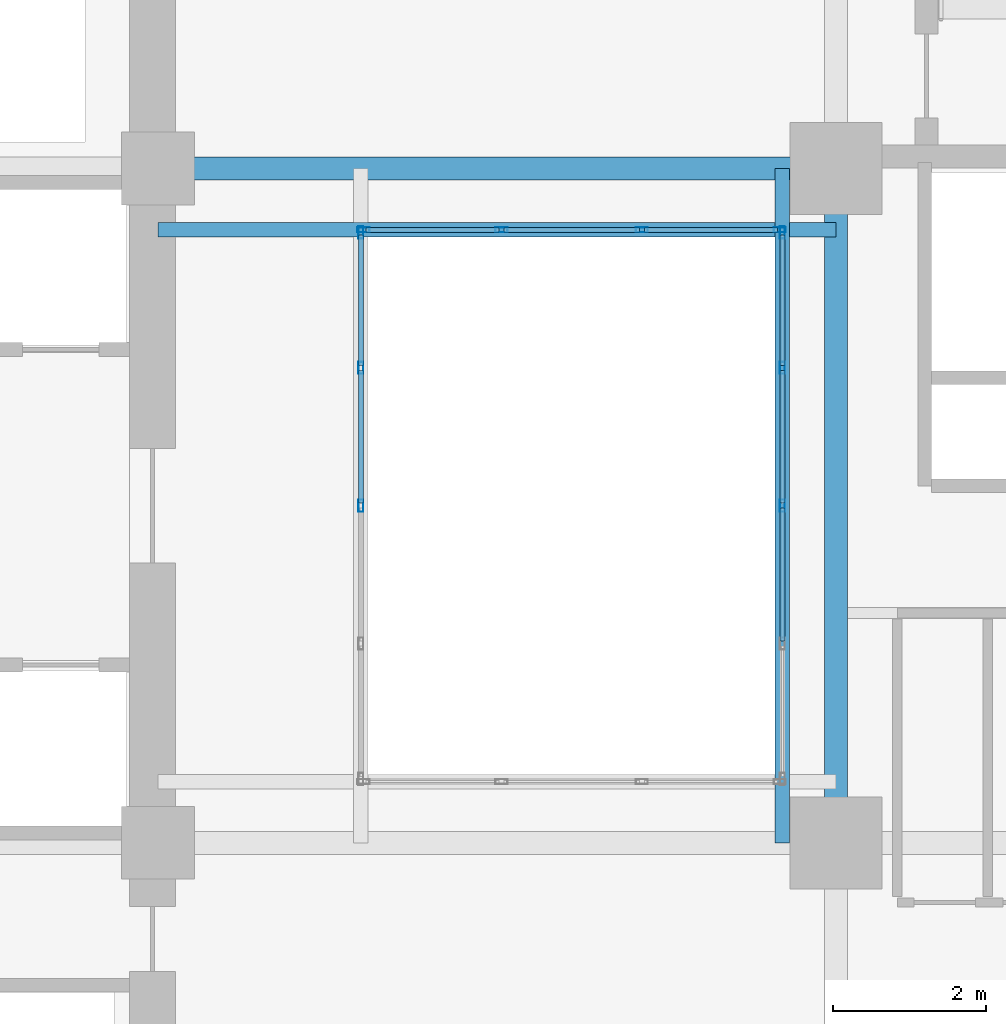
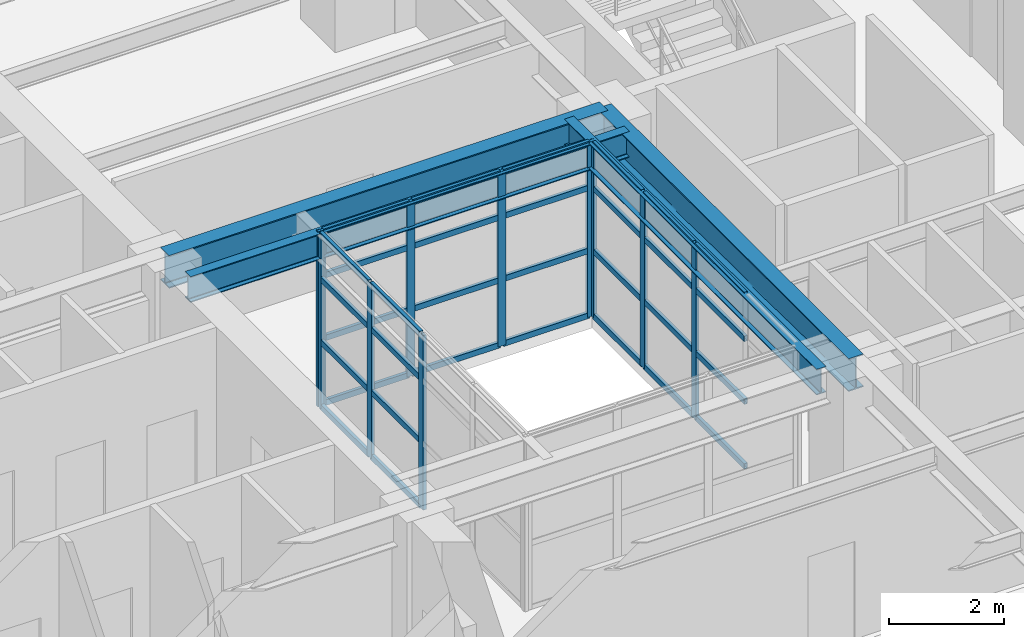
# One storey, part 4 of 17: 42 members, 4 beams, 3 elements without a shape of their own.
"""IFC4 building model written with IfcOpenShell, lengths in metres."""

from ifc_helpers import new_model, si_unit, direction, frame, origin, origin_2d, place, context, subcontext, project, spatial, hollow_rectangle, i_section, extrude, material, layer, layer_set, material_profile, profile_set, type_object, element, aggregate, save


model = new_model("IFC4")

# Units and contexts
model_context = context("Model", 3, precision=1e-05, world=origin(), true_north=direction((0.0, 1.0)))
body_context = subcontext(model_context, "Body", "Model", "MODEL_VIEW")
ifc_project = project(units=[si_unit("LENGTHUNIT", "METRE"), si_unit("AREAUNIT", "SQUARE_METRE"), si_unit("VOLUMEUNIT", "CUBIC_METRE"), si_unit("PLANEANGLEUNIT", "RADIAN"), si_unit("MASSUNIT", "GRAM", prefix="KILO")], contexts=[model_context])

# Site, building, storey
site_placement = place(None, origin())
site = spatial("IfcSite", under=ifc_project, at=site_placement, CompositionType="ELEMENT")
building_placement = place(site_placement, origin())
building = spatial("IfcBuilding", under=site, at=building_placement, Name="Kundavana Baori Tower", CompositionType="ELEMENT")
storey_placement = place(building_placement, frame((0.0, 0.0, 26.0)))
storey = spatial("IfcBuildingStorey", under=building, at=storey_placement, Name="L05", CompositionType="ELEMENT", Elevation=26.0)

# Beams
ifc_material_1 = material(Name="Structural Steel S355JR", Category="steel")
ifc_material_profile_1 = material_profile(ifc_material_1, i_section(OverallWidth=0.18994140625, OverallDepth=0.550048828125, WebThickness=0.01123046875, FlangeThickness=0.019287109375, FilletRadius=0.01806640625, at=origin_2d()), Name="ISMB 550")
ifc_profile_set_1 = profile_set([ifc_material_profile_1], Name="Structural Steel S355JR")
beam_type_1 = type_object("IfcBeamType", Name="BM-ST-550", PredefinedType="BEAM", material=ifc_profile_set_1)
beam_1_placement = place(storey_placement, frame((33.10009765625, 24.199951171875, 3.445068359375), z_axis=(0.0, 1.0, 0.0), x_axis=(-1.0, 0.0, 0.0)))
element("IfcBeam", 1, at=beam_1_placement, inside=storey, type_object=beam_type_1, Name="L05 Atrium East Edge Beam", PredefinedType="BEAM", context=body_context, shape_type="SweptSolid", body=[
    extrude(i_section(OverallWidth=0.18994140625, OverallDepth=0.550048828125, WebThickness=0.01123046875, FlangeThickness=0.019287109375, FilletRadius=0.01806640625, at=origin_2d()), origin(), (0.0, 0.0, 1.0), 8.800048828125),
])
beam_2_placement = place(storey_placement, frame((24.949951171875, 32.199951171875, 3.445068359375), z_axis=(1.0, 0.0, 0.0), x_axis=(0.0, 1.0, 0.0)))
element("IfcBeam", 2, at=beam_2_placement, inside=storey, type_object=beam_type_1, Name="L05 Atrium North Edge Beam", PredefinedType="BEAM", context=body_context, shape_type="SweptSolid", body=[
    extrude(i_section(OverallWidth=0.18994140625, OverallDepth=0.550048828125, WebThickness=0.01123046875, FlangeThickness=0.019287109375, FilletRadius=0.01806640625, at=origin_2d()), origin(), (0.0, 0.0, 1.0), 8.85009765625),
])
ifc_material_2 = material(Name="Structural Steel S355JR", Category="steel")
ifc_material_profile_2 = material_profile(ifc_material_2, i_section(OverallWidth=0.300048828125, OverallDepth=0.699951171875, WebThickness=0.014404296875, FlangeThickness=0.02392578125, FilletRadius=0.02392578125, at=origin_2d()), Name="NPB 700x300x170")
ifc_profile_set_2 = profile_set([ifc_material_profile_2], Name="Structural Steel S355JR")
beam_type_2 = type_object("IfcBeamType", Name="BM-ST-700", PredefinedType="BEAM", material=ifc_profile_set_2)
beam_3_placement = place(storey_placement, frame((24.949951171875, 33.0, 3.3701171875), z_axis=(1.0, 0.0, 0.0), x_axis=(0.0, 1.0, 0.0)))
element("IfcBeam", 3, at=beam_3_placement, inside=storey, type_object=beam_type_2, Name="L05 Primary Grid Girder GX-3-2", PredefinedType="BEAM", context=body_context, shape_type="SweptSolid", body=[
    extrude(i_section(OverallWidth=0.300048828125, OverallDepth=0.699951171875, WebThickness=0.014404296875, FlangeThickness=0.02392578125, FilletRadius=0.02392578125, at=origin_2d()), origin(), (0.0, 0.0, 1.0), 8.85009765625),
])
beam_4_placement = place(storey_placement, frame((33.800048828125, 24.199951171875, 3.3701171875), z_axis=(0.0, 1.0, 0.0), x_axis=(-1.0, 0.0, 0.0)))
element("IfcBeam", 4, at=beam_4_placement, inside=storey, type_object=beam_type_2, Name="L05 Primary Grid Girder GY-3-2", PredefinedType="BEAM", context=body_context, shape_type="SweptSolid", body=[
    extrude(i_section(OverallWidth=0.300048828125, OverallDepth=0.699951171875, WebThickness=0.014404296875, FlangeThickness=0.02392578125, FilletRadius=0.02392578125, at=origin_2d()), origin(), (0.0, 0.0, 1.0), 8.800048828125),
])

# Curtain wall, members
ifc_material_3 = material(Name="Thermally Broken Anodised Aluminium Framing", Category="aluminium")
ifc_layer = layer(ifc_material_3, 0.18994140625, Name="CW-SYS-3")
ifc_layer_set = layer_set([ifc_layer], Name="Thermally Broken Anodised Aluminium Framing")
curtain_wall_type = type_object("IfcCurtainWallType", Name="CW-SYS-3", PredefinedType="NOTDEFINED", material=ifc_layer_set)
curtain_wall_1_placement = place(storey_placement, origin())
curtain_wall_1 = element("IfcCurtainWall", 5, at=curtain_wall_1_placement, inside=storey, type_object=curtain_wall_type, Name="L05 Atrium Glazed Curtain Wall E", PredefinedType="NOTDEFINED")
ifc_material_4 = material(Name="Thermally Broken Anodised Aluminium Framing", Category="aluminium")
ifc_material_profile_3 = material_profile(ifc_material_4, hollow_rectangle(XDim=0.06494140625, YDim=0.159912109375, WallThickness=0.00390625, at=origin_2d()), Name="CW-MULL-160")
ifc_profile_set_3 = profile_set([ifc_material_profile_3], Name="Thermally Broken Anodised Aluminium Framing")
member_type_1 = type_object("IfcMemberType", Name="CW-MULL-160", PredefinedType="MULLION", material=ifc_profile_set_3)
member_1_placement = place(storey_placement, frame((33.10009765625, 28.60009765625, 0.0), z_axis=(0.0, 0.0, 1.0), x_axis=(-1.0, 0.0, 0.0)))
member_1 = element("IfcMember", 6, at=member_1_placement, type_object=member_type_1, Name="CW3 mullion 3", PredefinedType="MULLION", context=body_context, shape_type="SweptSolid", body=[
    extrude(hollow_rectangle(XDim=0.06494140625, YDim=0.159912109375, WallThickness=0.00390625, at=origin_2d()), origin(), (0.0, 0.0, 1.0), 3.719970703125),
])
member_2_placement = place(storey_placement, frame((33.10009765625, 30.39990234375, 0.0), z_axis=(0.0, 0.0, 1.0), x_axis=(-1.0, 0.0, 0.0)))
member_2 = element("IfcMember", 7, at=member_2_placement, type_object=member_type_1, Name="CW3 mullion 4", PredefinedType="MULLION", context=body_context, shape_type="SweptSolid", body=[
    extrude(hollow_rectangle(XDim=0.06494140625, YDim=0.159912109375, WallThickness=0.00390625, at=origin_2d()), origin(), (0.0, 0.0, 1.0), 3.719970703125),
])
member_3_placement = place(storey_placement, frame((33.10009765625, 32.16748046875, 0.0), z_axis=(0.0, 0.0, 1.0), x_axis=(-1.0, 0.0, 0.0)))
member_3 = element("IfcMember", 8, at=member_3_placement, type_object=member_type_1, Name="CW3 mullion 5", PredefinedType="MULLION", context=body_context, shape_type="SweptSolid", body=[
    extrude(hollow_rectangle(XDim=0.06494140625, YDim=0.159912109375, WallThickness=0.00390625, at=origin_2d()), origin(), (0.0, 0.0, 1.0), 3.719970703125),
])

curtain_wall_2_placement = place(storey_placement, origin())
curtain_wall_2 = element("IfcCurtainWall", 9, at=curtain_wall_2_placement, inside=storey, type_object=curtain_wall_type, Name="L05 Atrium Glazed Curtain Wall N", PredefinedType="NOTDEFINED")
member_4_placement = place(storey_placement, frame((33.0673828125, 32.199951171875, 0.0), z_axis=(0.0, 0.0, 1.0), x_axis=(0.0, -1.0, 0.0)))
member_4 = element("IfcMember", 10, at=member_4_placement, type_object=member_type_1, Name="CW3 mullion 1", PredefinedType="MULLION", context=body_context, shape_type="SweptSolid", body=[
    extrude(hollow_rectangle(XDim=0.06494140625, YDim=0.159912109375, WallThickness=0.00390625, at=origin_2d()), origin(), (0.0, 0.0, 1.0), 3.719970703125),
])
member_5_placement = place(storey_placement, frame((31.2666015625, 32.199951171875, 0.0), z_axis=(0.0, 0.0, 1.0), x_axis=(0.0, -1.0, 0.0)))
member_5 = element("IfcMember", 11, at=member_5_placement, type_object=member_type_1, Name="CW3 mullion 2", PredefinedType="MULLION", context=body_context, shape_type="SweptSolid", body=[
    extrude(hollow_rectangle(XDim=0.06494140625, YDim=0.159912109375, WallThickness=0.00390625, at=origin_2d()), origin(), (0.0, 0.0, 1.0), 3.719970703125),
])
member_6_placement = place(storey_placement, frame((29.433349609375, 32.199951171875, 0.0), z_axis=(0.0, 0.0, 1.0), x_axis=(0.0, -1.0, 0.0)))
member_6 = element("IfcMember", 12, at=member_6_placement, type_object=member_type_1, Name="CW3 mullion 3", PredefinedType="MULLION", context=body_context, shape_type="SweptSolid", body=[
    extrude(hollow_rectangle(XDim=0.06494140625, YDim=0.159912109375, WallThickness=0.00390625, at=origin_2d()), origin(), (0.0, 0.0, 1.0), 3.719970703125),
])
member_7_placement = place(storey_placement, frame((27.632568359375, 32.199951171875, 0.0), z_axis=(0.0, 0.0, 1.0), x_axis=(0.0, -1.0, 0.0)))
member_7 = element("IfcMember", 13, at=member_7_placement, type_object=member_type_1, Name="CW3 mullion 4", PredefinedType="MULLION", context=body_context, shape_type="SweptSolid", body=[
    extrude(hollow_rectangle(XDim=0.06494140625, YDim=0.159912109375, WallThickness=0.00390625, at=origin_2d()), origin(), (0.0, 0.0, 1.0), 3.719970703125),
])

curtain_wall_3_placement = place(storey_placement, origin())
curtain_wall_3 = element("IfcCurtainWall", 14, at=curtain_wall_3_placement, inside=storey, type_object=curtain_wall_type, Name="L05 Atrium Glazed Curtain Wall W", PredefinedType="NOTDEFINED")
member_8_placement = place(storey_placement, frame((27.60009765625, 32.16748046875, 0.0), z_axis=(0.0, 0.0, 1.0), x_axis=(1.0, 0.0, 0.0)))
member_8 = element("IfcMember", 15, at=member_8_placement, type_object=member_type_1, Name="CW3 mullion 1", PredefinedType="MULLION", context=body_context, shape_type="SweptSolid", body=[
    extrude(hollow_rectangle(XDim=0.06494140625, YDim=0.159912109375, WallThickness=0.00390625, at=origin_2d()), origin(), (0.0, 0.0, 1.0), 3.719970703125),
])
member_9_placement = place(storey_placement, frame((27.60009765625, 30.39990234375, 0.0), z_axis=(0.0, 0.0, 1.0), x_axis=(1.0, 0.0, 0.0)))
member_9 = element("IfcMember", 16, at=member_9_placement, type_object=member_type_1, Name="CW3 mullion 2", PredefinedType="MULLION", context=body_context, shape_type="SweptSolid", body=[
    extrude(hollow_rectangle(XDim=0.06494140625, YDim=0.159912109375, WallThickness=0.00390625, at=origin_2d()), origin(), (0.0, 0.0, 1.0), 3.719970703125),
])
member_10_placement = place(storey_placement, frame((27.60009765625, 28.60009765625, 0.0), z_axis=(0.0, 0.0, 1.0), x_axis=(1.0, 0.0, 0.0)))
member_10 = element("IfcMember", 17, at=member_10_placement, type_object=member_type_1, Name="CW3 mullion 3", PredefinedType="MULLION", context=body_context, shape_type="SweptSolid", body=[
    extrude(hollow_rectangle(XDim=0.06494140625, YDim=0.159912109375, WallThickness=0.00390625, at=origin_2d()), origin(), (0.0, 0.0, 1.0), 3.719970703125),
])

# Member
ifc_material_5 = material(Name="Thermally Broken Anodised Aluminium Framing", Category="aluminium")
ifc_material_profile_4 = material_profile(ifc_material_5, hollow_rectangle(XDim=0.06494140625, YDim=0.1201171875, WallThickness=0.00390625, at=origin_2d()), Name="CW-TRAN-120")
ifc_profile_set_4 = profile_set([ifc_material_profile_4], Name="Thermally Broken Anodised Aluminium Framing")
member_type_2 = type_object("IfcMemberType", Name="CW-TRAN-120", PredefinedType="USERDEFINED", material=ifc_profile_set_4)
member_11_placement = place(storey_placement, frame((33.10009765625, 26.83251953125, 0.032470703125), z_axis=(0.0, 1.0, 0.0), x_axis=(-1.0, 0.0, 0.0)))
member_11 = element("IfcMember", 18, at=member_11_placement, type_object=member_type_2, Name="CW3 transom 2.1", ObjectType="TRANSOM", PredefinedType="USERDEFINED", context=body_context, shape_type="SweptSolid", body=[
    extrude(hollow_rectangle(XDim=0.06494140625, YDim=0.1201171875, WallThickness=0.00390625, at=origin_2d()), origin(), (0.0, 0.0, 1.0), 1.73486328125),
])

member_12_placement = place(storey_placement, frame((33.10009765625, 26.83251953125, 1.41357421875), z_axis=(0.0, 1.0, 0.0), x_axis=(-1.0, 0.0, 0.0)))
member_12 = element("IfcMember", 19, at=member_12_placement, type_object=member_type_2, Name="CW3 transom 2.2", ObjectType="TRANSOM", PredefinedType="USERDEFINED", context=body_context, shape_type="SweptSolid", body=[
    extrude(hollow_rectangle(XDim=0.06494140625, YDim=0.1201171875, WallThickness=0.00390625, at=origin_2d()), origin(), (0.0, 0.0, 1.0), 1.73486328125),
])

member_13_placement = place(storey_placement, frame((33.10009765625, 26.83251953125, 2.752685546875), z_axis=(0.0, 1.0, 0.0), x_axis=(-1.0, 0.0, 0.0)))
member_13 = element("IfcMember", 20, at=member_13_placement, type_object=member_type_2, Name="CW3 transom 2.3", ObjectType="TRANSOM", PredefinedType="USERDEFINED", context=body_context, shape_type="SweptSolid", body=[
    extrude(hollow_rectangle(XDim=0.06494140625, YDim=0.1201171875, WallThickness=0.00390625, at=origin_2d()), origin(), (0.0, 0.0, 1.0), 1.73486328125),
])

member_14_placement = place(storey_placement, frame((33.10009765625, 26.83251953125, 3.6875), z_axis=(0.0, 1.0, 0.0), x_axis=(-1.0, 0.0, 0.0)))
member_14 = element("IfcMember", 21, at=member_14_placement, type_object=member_type_2, Name="CW3 transom 2.4", ObjectType="TRANSOM", PredefinedType="USERDEFINED", context=body_context, shape_type="SweptSolid", body=[
    extrude(hollow_rectangle(XDim=0.06494140625, YDim=0.1201171875, WallThickness=0.00390625, at=origin_2d()), origin(), (0.0, 0.0, 1.0), 1.73486328125),
])

member_15_placement = place(storey_placement, frame((33.10009765625, 28.632568359375, 0.032470703125), z_axis=(0.0, 1.0, 0.0), x_axis=(-1.0, 0.0, 0.0)))
member_15 = element("IfcMember", 22, at=member_15_placement, type_object=member_type_2, Name="CW3 transom 3.1", ObjectType="TRANSOM", PredefinedType="USERDEFINED", context=body_context, shape_type="SweptSolid", body=[
    extrude(hollow_rectangle(XDim=0.06494140625, YDim=0.1201171875, WallThickness=0.00390625, at=origin_2d()), origin(), (0.0, 0.0, 1.0), 1.73486328125),
])

member_16_placement = place(storey_placement, frame((33.10009765625, 28.632568359375, 1.41357421875), z_axis=(0.0, 1.0, 0.0), x_axis=(-1.0, 0.0, 0.0)))
member_16 = element("IfcMember", 23, at=member_16_placement, type_object=member_type_2, Name="CW3 transom 3.2", ObjectType="TRANSOM", PredefinedType="USERDEFINED", context=body_context, shape_type="SweptSolid", body=[
    extrude(hollow_rectangle(XDim=0.06494140625, YDim=0.1201171875, WallThickness=0.00390625, at=origin_2d()), origin(), (0.0, 0.0, 1.0), 1.73486328125),
])

member_17_placement = place(storey_placement, frame((33.10009765625, 28.632568359375, 2.752685546875), z_axis=(0.0, 1.0, 0.0), x_axis=(-1.0, 0.0, 0.0)))
member_17 = element("IfcMember", 24, at=member_17_placement, type_object=member_type_2, Name="CW3 transom 3.3", ObjectType="TRANSOM", PredefinedType="USERDEFINED", context=body_context, shape_type="SweptSolid", body=[
    extrude(hollow_rectangle(XDim=0.06494140625, YDim=0.1201171875, WallThickness=0.00390625, at=origin_2d()), origin(), (0.0, 0.0, 1.0), 1.73486328125),
])

member_18_placement = place(storey_placement, frame((33.10009765625, 28.632568359375, 3.6875), z_axis=(0.0, 1.0, 0.0), x_axis=(-1.0, 0.0, 0.0)))
member_18 = element("IfcMember", 25, at=member_18_placement, type_object=member_type_2, Name="CW3 transom 3.4", ObjectType="TRANSOM", PredefinedType="USERDEFINED", context=body_context, shape_type="SweptSolid", body=[
    extrude(hollow_rectangle(XDim=0.06494140625, YDim=0.1201171875, WallThickness=0.00390625, at=origin_2d()), origin(), (0.0, 0.0, 1.0), 1.73486328125),
])

member_19_placement = place(storey_placement, frame((33.10009765625, 30.4326171875, 0.032470703125), z_axis=(0.0, 1.0, 0.0), x_axis=(-1.0, 0.0, 0.0)))
member_19 = element("IfcMember", 26, at=member_19_placement, type_object=member_type_2, Name="CW3 transom 4.1", ObjectType="TRANSOM", PredefinedType="USERDEFINED", context=body_context, shape_type="SweptSolid", body=[
    extrude(hollow_rectangle(XDim=0.06494140625, YDim=0.1201171875, WallThickness=0.00390625, at=origin_2d()), origin(), (0.0, 0.0, 1.0), 1.702392578125),
])

member_20_placement = place(storey_placement, frame((33.10009765625, 30.4326171875, 1.41357421875), z_axis=(0.0, 1.0, 0.0), x_axis=(-1.0, 0.0, 0.0)))
member_20 = element("IfcMember", 27, at=member_20_placement, type_object=member_type_2, Name="CW3 transom 4.2", ObjectType="TRANSOM", PredefinedType="USERDEFINED", context=body_context, shape_type="SweptSolid", body=[
    extrude(hollow_rectangle(XDim=0.06494140625, YDim=0.1201171875, WallThickness=0.00390625, at=origin_2d()), origin(), (0.0, 0.0, 1.0), 1.702392578125),
])

member_21_placement = place(storey_placement, frame((33.10009765625, 30.4326171875, 2.752685546875), z_axis=(0.0, 1.0, 0.0), x_axis=(-1.0, 0.0, 0.0)))
member_21 = element("IfcMember", 28, at=member_21_placement, type_object=member_type_2, Name="CW3 transom 4.3", ObjectType="TRANSOM", PredefinedType="USERDEFINED", context=body_context, shape_type="SweptSolid", body=[
    extrude(hollow_rectangle(XDim=0.06494140625, YDim=0.1201171875, WallThickness=0.00390625, at=origin_2d()), origin(), (0.0, 0.0, 1.0), 1.702392578125),
])

member_22_placement = place(storey_placement, frame((33.10009765625, 30.4326171875, 3.6875), z_axis=(0.0, 1.0, 0.0), x_axis=(-1.0, 0.0, 0.0)))
member_22 = element("IfcMember", 29, at=member_22_placement, type_object=member_type_2, Name="CW3 transom 4.4", ObjectType="TRANSOM", PredefinedType="USERDEFINED", context=body_context, shape_type="SweptSolid", body=[
    extrude(hollow_rectangle(XDim=0.06494140625, YDim=0.1201171875, WallThickness=0.00390625, at=origin_2d()), origin(), (0.0, 0.0, 1.0), 1.702392578125),
])

aggregate(curtain_wall_1, [member_1, member_2, member_3, member_11, member_12, member_13, member_14, member_15, member_16, member_17, member_18, member_19, member_20, member_21, member_22])

member_23_placement = place(storey_placement, frame((33.034912109375, 32.199951171875, 0.032470703125), z_axis=(-1.0, 0.0, 0.0), x_axis=(0.0, -1.0, 0.0)))
member_23 = element("IfcMember", 30, at=member_23_placement, type_object=member_type_2, Name="CW3 transom 1.1", ObjectType="TRANSOM", PredefinedType="USERDEFINED", context=body_context, shape_type="SweptSolid", body=[
    extrude(hollow_rectangle(XDim=0.06494140625, YDim=0.1201171875, WallThickness=0.00390625, at=origin_2d()), origin(), (0.0, 0.0, 1.0), 1.73583984375),
])

member_24_placement = place(storey_placement, frame((33.034912109375, 32.199951171875, 1.41357421875), z_axis=(-1.0, 0.0, 0.0), x_axis=(0.0, -1.0, 0.0)))
member_24 = element("IfcMember", 31, at=member_24_placement, type_object=member_type_2, Name="CW3 transom 1.2", ObjectType="TRANSOM", PredefinedType="USERDEFINED", context=body_context, shape_type="SweptSolid", body=[
    extrude(hollow_rectangle(XDim=0.06494140625, YDim=0.1201171875, WallThickness=0.00390625, at=origin_2d()), origin(), (0.0, 0.0, 1.0), 1.73583984375),
])

member_25_placement = place(storey_placement, frame((33.034912109375, 32.199951171875, 2.752685546875), z_axis=(-1.0, 0.0, 0.0), x_axis=(0.0, -1.0, 0.0)))
member_25 = element("IfcMember", 32, at=member_25_placement, type_object=member_type_2, Name="CW3 transom 1.3", ObjectType="TRANSOM", PredefinedType="USERDEFINED", context=body_context, shape_type="SweptSolid", body=[
    extrude(hollow_rectangle(XDim=0.06494140625, YDim=0.1201171875, WallThickness=0.00390625, at=origin_2d()), origin(), (0.0, 0.0, 1.0), 1.73583984375),
])

member_26_placement = place(storey_placement, frame((33.034912109375, 32.199951171875, 3.6875), z_axis=(-1.0, 0.0, 0.0), x_axis=(0.0, -1.0, 0.0)))
member_26 = element("IfcMember", 33, at=member_26_placement, type_object=member_type_2, Name="CW3 transom 1.4", ObjectType="TRANSOM", PredefinedType="USERDEFINED", context=body_context, shape_type="SweptSolid", body=[
    extrude(hollow_rectangle(XDim=0.06494140625, YDim=0.1201171875, WallThickness=0.00390625, at=origin_2d()), origin(), (0.0, 0.0, 1.0), 1.73583984375),
])

member_27_placement = place(storey_placement, frame((31.234130859375, 32.199951171875, 0.032470703125), z_axis=(-1.0, 0.0, 0.0), x_axis=(0.0, -1.0, 0.0)))
member_27 = element("IfcMember", 34, at=member_27_placement, type_object=member_type_2, Name="CW3 transom 2.1", ObjectType="TRANSOM", PredefinedType="USERDEFINED", context=body_context, shape_type="SweptSolid", body=[
    extrude(hollow_rectangle(XDim=0.06494140625, YDim=0.1201171875, WallThickness=0.00390625, at=origin_2d()), origin(), (0.0, 0.0, 1.0), 1.768310546875),
])

member_28_placement = place(storey_placement, frame((31.234130859375, 32.199951171875, 1.41357421875), z_axis=(-1.0, 0.0, 0.0), x_axis=(0.0, -1.0, 0.0)))
member_28 = element("IfcMember", 35, at=member_28_placement, type_object=member_type_2, Name="CW3 transom 2.2", ObjectType="TRANSOM", PredefinedType="USERDEFINED", context=body_context, shape_type="SweptSolid", body=[
    extrude(hollow_rectangle(XDim=0.06494140625, YDim=0.1201171875, WallThickness=0.00390625, at=origin_2d()), origin(), (0.0, 0.0, 1.0), 1.768310546875),
])

member_29_placement = place(storey_placement, frame((31.234130859375, 32.199951171875, 2.752685546875), z_axis=(-1.0, 0.0, 0.0), x_axis=(0.0, -1.0, 0.0)))
member_29 = element("IfcMember", 36, at=member_29_placement, type_object=member_type_2, Name="CW3 transom 2.3", ObjectType="TRANSOM", PredefinedType="USERDEFINED", context=body_context, shape_type="SweptSolid", body=[
    extrude(hollow_rectangle(XDim=0.06494140625, YDim=0.1201171875, WallThickness=0.00390625, at=origin_2d()), origin(), (0.0, 0.0, 1.0), 1.768310546875),
])

member_30_placement = place(storey_placement, frame((31.234130859375, 32.199951171875, 3.6875), z_axis=(-1.0, 0.0, 0.0), x_axis=(0.0, -1.0, 0.0)))
member_30 = element("IfcMember", 37, at=member_30_placement, type_object=member_type_2, Name="CW3 transom 2.4", ObjectType="TRANSOM", PredefinedType="USERDEFINED", context=body_context, shape_type="SweptSolid", body=[
    extrude(hollow_rectangle(XDim=0.06494140625, YDim=0.1201171875, WallThickness=0.00390625, at=origin_2d()), origin(), (0.0, 0.0, 1.0), 1.768310546875),
])

member_31_placement = place(storey_placement, frame((29.40087890625, 32.199951171875, 0.032470703125), z_axis=(-1.0, 0.0, 0.0), x_axis=(0.0, -1.0, 0.0)))
member_31 = element("IfcMember", 38, at=member_31_placement, type_object=member_type_2, Name="CW3 transom 3.1", ObjectType="TRANSOM", PredefinedType="USERDEFINED", context=body_context, shape_type="SweptSolid", body=[
    extrude(hollow_rectangle(XDim=0.06494140625, YDim=0.1201171875, WallThickness=0.00390625, at=origin_2d()), origin(), (0.0, 0.0, 1.0), 1.73583984375),
])

member_32_placement = place(storey_placement, frame((29.40087890625, 32.199951171875, 1.41357421875), z_axis=(-1.0, 0.0, 0.0), x_axis=(0.0, -1.0, 0.0)))
member_32 = element("IfcMember", 39, at=member_32_placement, type_object=member_type_2, Name="CW3 transom 3.2", ObjectType="TRANSOM", PredefinedType="USERDEFINED", context=body_context, shape_type="SweptSolid", body=[
    extrude(hollow_rectangle(XDim=0.06494140625, YDim=0.1201171875, WallThickness=0.00390625, at=origin_2d()), origin(), (0.0, 0.0, 1.0), 1.73583984375),
])

member_33_placement = place(storey_placement, frame((29.40087890625, 32.199951171875, 2.752685546875), z_axis=(-1.0, 0.0, 0.0), x_axis=(0.0, -1.0, 0.0)))
member_33 = element("IfcMember", 40, at=member_33_placement, type_object=member_type_2, Name="CW3 transom 3.3", ObjectType="TRANSOM", PredefinedType="USERDEFINED", context=body_context, shape_type="SweptSolid", body=[
    extrude(hollow_rectangle(XDim=0.06494140625, YDim=0.1201171875, WallThickness=0.00390625, at=origin_2d()), origin(), (0.0, 0.0, 1.0), 1.73583984375),
])

member_34_placement = place(storey_placement, frame((29.40087890625, 32.199951171875, 3.6875), z_axis=(-1.0, 0.0, 0.0), x_axis=(0.0, -1.0, 0.0)))
member_34 = element("IfcMember", 41, at=member_34_placement, type_object=member_type_2, Name="CW3 transom 3.4", ObjectType="TRANSOM", PredefinedType="USERDEFINED", context=body_context, shape_type="SweptSolid", body=[
    extrude(hollow_rectangle(XDim=0.06494140625, YDim=0.1201171875, WallThickness=0.00390625, at=origin_2d()), origin(), (0.0, 0.0, 1.0), 1.73583984375),
])

aggregate(curtain_wall_2, [member_4, member_5, member_6, member_7, member_23, member_24, member_25, member_26, member_27, member_28, member_29, member_30, member_31, member_32, member_33, member_34])

member_35_placement = place(storey_placement, frame((27.60009765625, 32.135009765625, 0.032470703125), z_axis=(0.0, -1.0, 0.0), x_axis=(1.0, 0.0, 0.0)))
member_35 = element("IfcMember", 42, at=member_35_placement, type_object=member_type_2, Name="CW3 transom 1.1", ObjectType="TRANSOM", PredefinedType="USERDEFINED", context=body_context, shape_type="SweptSolid", body=[
    extrude(hollow_rectangle(XDim=0.06494140625, YDim=0.1201171875, WallThickness=0.00390625, at=origin_2d()), origin(), (0.0, 0.0, 1.0), 1.702392578125),
])

member_36_placement = place(storey_placement, frame((27.60009765625, 32.135009765625, 1.41357421875), z_axis=(0.0, -1.0, 0.0), x_axis=(1.0, 0.0, 0.0)))
member_36 = element("IfcMember", 43, at=member_36_placement, type_object=member_type_2, Name="CW3 transom 1.2", ObjectType="TRANSOM", PredefinedType="USERDEFINED", context=body_context, shape_type="SweptSolid", body=[
    extrude(hollow_rectangle(XDim=0.06494140625, YDim=0.1201171875, WallThickness=0.00390625, at=origin_2d()), origin(), (0.0, 0.0, 1.0), 1.702392578125),
])

member_37_placement = place(storey_placement, frame((27.60009765625, 32.135009765625, 2.752685546875), z_axis=(0.0, -1.0, 0.0), x_axis=(1.0, 0.0, 0.0)))
member_37 = element("IfcMember", 44, at=member_37_placement, type_object=member_type_2, Name="CW3 transom 1.3", ObjectType="TRANSOM", PredefinedType="USERDEFINED", context=body_context, shape_type="SweptSolid", body=[
    extrude(hollow_rectangle(XDim=0.06494140625, YDim=0.1201171875, WallThickness=0.00390625, at=origin_2d()), origin(), (0.0, 0.0, 1.0), 1.702392578125),
])

member_38_placement = place(storey_placement, frame((27.60009765625, 32.135009765625, 3.6875), z_axis=(0.0, -1.0, 0.0), x_axis=(1.0, 0.0, 0.0)))
member_38 = element("IfcMember", 45, at=member_38_placement, type_object=member_type_2, Name="CW3 transom 1.4", ObjectType="TRANSOM", PredefinedType="USERDEFINED", context=body_context, shape_type="SweptSolid", body=[
    extrude(hollow_rectangle(XDim=0.06494140625, YDim=0.1201171875, WallThickness=0.00390625, at=origin_2d()), origin(), (0.0, 0.0, 1.0), 1.702392578125),
])

member_39_placement = place(storey_placement, frame((27.60009765625, 30.367431640625, 0.032470703125), z_axis=(0.0, -1.0, 0.0), x_axis=(1.0, 0.0, 0.0)))
member_39 = element("IfcMember", 46, at=member_39_placement, type_object=member_type_2, Name="CW3 transom 2.1", ObjectType="TRANSOM", PredefinedType="USERDEFINED", context=body_context, shape_type="SweptSolid", body=[
    extrude(hollow_rectangle(XDim=0.06494140625, YDim=0.1201171875, WallThickness=0.00390625, at=origin_2d()), origin(), (0.0, 0.0, 1.0), 1.73486328125),
])

member_40_placement = place(storey_placement, frame((27.60009765625, 30.367431640625, 1.41357421875), z_axis=(0.0, -1.0, 0.0), x_axis=(1.0, 0.0, 0.0)))
member_40 = element("IfcMember", 47, at=member_40_placement, type_object=member_type_2, Name="CW3 transom 2.2", ObjectType="TRANSOM", PredefinedType="USERDEFINED", context=body_context, shape_type="SweptSolid", body=[
    extrude(hollow_rectangle(XDim=0.06494140625, YDim=0.1201171875, WallThickness=0.00390625, at=origin_2d()), origin(), (0.0, 0.0, 1.0), 1.73486328125),
])

member_41_placement = place(storey_placement, frame((27.60009765625, 30.367431640625, 2.752685546875), z_axis=(0.0, -1.0, 0.0), x_axis=(1.0, 0.0, 0.0)))
member_41 = element("IfcMember", 48, at=member_41_placement, type_object=member_type_2, Name="CW3 transom 2.3", ObjectType="TRANSOM", PredefinedType="USERDEFINED", context=body_context, shape_type="SweptSolid", body=[
    extrude(hollow_rectangle(XDim=0.06494140625, YDim=0.1201171875, WallThickness=0.00390625, at=origin_2d()), origin(), (0.0, 0.0, 1.0), 1.73486328125),
])

member_42_placement = place(storey_placement, frame((27.60009765625, 30.367431640625, 3.6875), z_axis=(0.0, -1.0, 0.0), x_axis=(1.0, 0.0, 0.0)))
member_42 = element("IfcMember", 49, at=member_42_placement, type_object=member_type_2, Name="CW3 transom 2.4", ObjectType="TRANSOM", PredefinedType="USERDEFINED", context=body_context, shape_type="SweptSolid", body=[
    extrude(hollow_rectangle(XDim=0.06494140625, YDim=0.1201171875, WallThickness=0.00390625, at=origin_2d()), origin(), (0.0, 0.0, 1.0), 1.73486328125),
])

aggregate(curtain_wall_3, [member_8, member_9, member_10, member_35, member_36, member_37, member_38, member_39, member_40, member_41, member_42])

save(model, "model.ifc")
